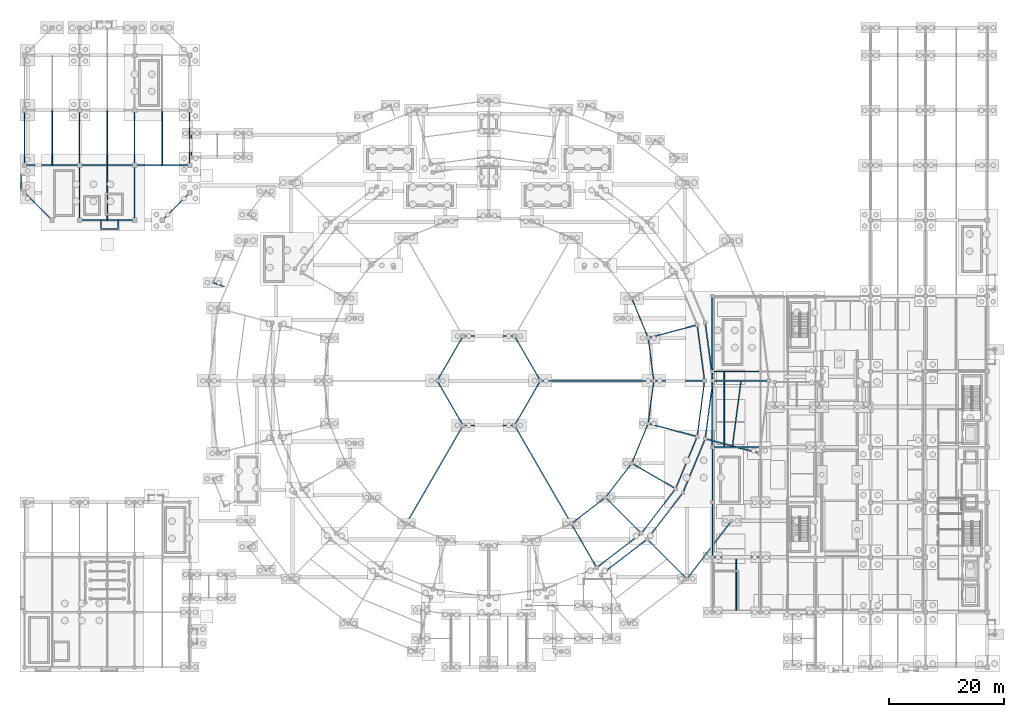
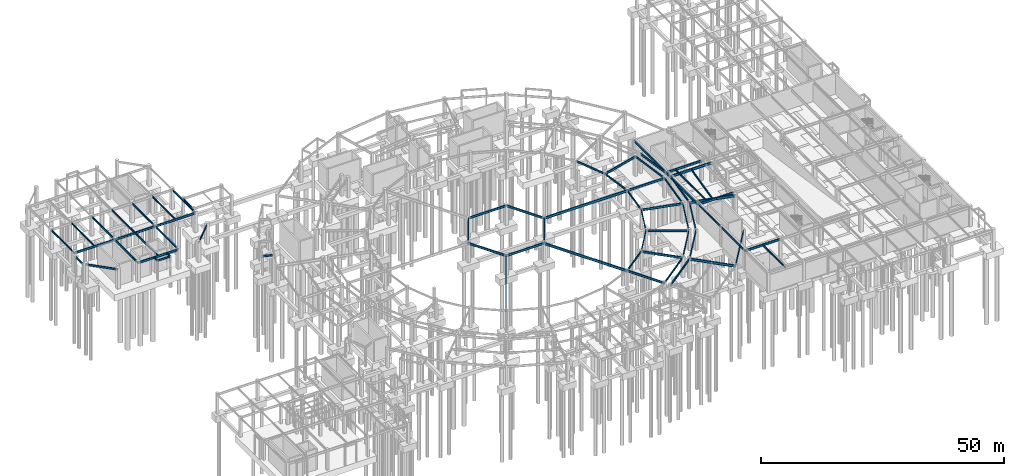
# One storey, part 39 of 55: 67 beams.
"""IFC4 building model written with IfcOpenShell, lengths in metres."""

from ifc_helpers import new_model, si_unit, direction, frame, origin, origin_2d, place, context, subcontext, project, spatial, i_section, extrude, material, material_profile, profile_set, type_object, element, save


model = new_model("IFC4")

# Units and contexts
model_context = context("Model", 3, precision=1e-05, world=origin(), true_north=direction((0.0, 1.0)))
body_context = subcontext(model_context, "Body", "Model", "MODEL_VIEW")
ifc_project = project(units=[si_unit("LENGTHUNIT", "METRE"), si_unit("AREAUNIT", "SQUARE_METRE"), si_unit("VOLUMEUNIT", "CUBIC_METRE"), si_unit("PLANEANGLEUNIT", "RADIAN"), si_unit("MASSUNIT", "GRAM", prefix="KILO")], contexts=[model_context])

# Site, building, storey
site_placement = place(None, origin())
site = spatial("IfcSite", under=ifc_project, at=site_placement, CompositionType="ELEMENT")
building_placement = place(site_placement, origin())
building = spatial("IfcBuilding", under=site, at=building_placement, Name="Almandine Court Research Institute", CompositionType="ELEMENT")
storey_placement = place(building_placement, frame((0.0, 0.0, -5.25)))
storey = spatial("IfcBuildingStorey", under=building, at=storey_placement, Name="B1", CompositionType="ELEMENT", Elevation=-5.25)

# Beams
ifc_material = material(Name="Steel ASTM A992 Grade 50", Category="steel")
ifc_material_profile_1 = material_profile(ifc_material, i_section(OverallWidth=0.18994140625, OverallDepth=0.45703125, WebThickness=0.009033203125, FlangeThickness=0.014892578125, at=origin_2d()), Name="W460x74")
ifc_profile_set_1 = profile_set([ifc_material_profile_1], Name="Steel ASTM A992 Grade 50")
beam_type_1 = type_object("IfcBeamType", Name="Beam-B-01", PredefinedType="BEAM", material=ifc_profile_set_1)
beam_1_placement = place(storey_placement, frame((126.0, 25.199951171875, 4.77099609375), z_axis=(0.0, 1.0, 0.0), x_axis=(-1.0, 0.0, 0.0)))
element("IfcBeam", 1, at=beam_1_placement, inside=storey, type_object=beam_type_1, Name="B1 B1G Primary Y Girder", PredefinedType="BEAM", context=body_context, shape_type="SweptSolid", body=[
    extrude(i_section(OverallWidth=0.18994140625, OverallDepth=0.45703125, WebThickness=0.009033203125, FlangeThickness=0.014892578125, at=origin_2d()), origin(), (0.0, 0.0, 1.0), 9.60009765625),
])
beam_2_placement = place(storey_placement, frame((126.0, 34.800048828125, 4.77099609375), z_axis=(0.0, 1.0, 0.0), x_axis=(-1.0, 0.0, 0.0)))
element("IfcBeam", 2, at=beam_2_placement, inside=storey, type_object=beam_type_1, Name="B1 B1G Primary Y Girder", PredefinedType="BEAM", context=body_context, shape_type="SweptSolid", body=[
    extrude(i_section(OverallWidth=0.18994140625, OverallDepth=0.45703125, WebThickness=0.009033203125, FlangeThickness=0.014892578125, at=origin_2d()), origin(), (0.0, 0.0, 1.0), 9.599853515625),
])
for number, where, z_axis, x_axis, name in (
    (3, (15.60009765625, 84.0, 4.701904296875), (0.0, 1.0, 0.0), (-1.0, 0.0, 0.0), "B1 V3 Primary Y Girder"),
    (4, (25.199951171875, 84.0, 4.701904296875), (0.0, 1.0, 0.0), (-1.0, 0.0, 0.0), "B1 V3 Primary Y Girder"),
):
    element("IfcBeam", number, at=place(storey_placement, frame(where, z_axis=z_axis, x_axis=x_axis)), inside=storey, type_object=beam_type_1, Name=name, PredefinedType="BEAM", context=body_context, shape_type="SweptSolid", body=[
        extrude(i_section(OverallWidth=0.18994140625, OverallDepth=0.45703125, WebThickness=0.009033203125, FlangeThickness=0.014892578125, at=origin_2d()), origin(), (0.0, 0.0, 1.0), 9.60009765625),
    ])
for number, where, z_axis, x_axis, name in (
    (5, (6.0, 93.60009765625, 4.701904296875), (0.0, 1.0, 0.0), (-1.0, 0.0, 0.0), "B1 V3 Primary Y Girder"),
    (6, (15.60009765625, 93.60009765625, 4.701904296875), (0.0, 1.0, 0.0), (-1.0, 0.0, 0.0), "B1 V3 Primary Y Girder"),
    (7, (25.199951171875, 93.60009765625, 4.701904296875), (0.0, 1.0, 0.0), (-1.0, 0.0, 0.0), "B1 V3 Primary Y Girder"),
    (8, (34.800048828125, 93.60009765625, 4.701904296875), (0.0, 1.0, 0.0), (-1.0, 0.0, 0.0), "B1 V3 Primary Y Girder"),
):
    element("IfcBeam", number, at=place(storey_placement, frame(where, z_axis=z_axis, x_axis=x_axis)), inside=storey, type_object=beam_type_1, Name=name, PredefinedType="BEAM", context=body_context, shape_type="SweptSolid", body=[
        extrude(i_section(OverallWidth=0.18994140625, OverallDepth=0.45703125, WebThickness=0.009033203125, FlangeThickness=0.014892578125, at=origin_2d()), origin(), (0.0, 0.0, 1.0), 9.599853515625),
    ])
beam_3_placement = place(storey_placement, frame((35.10009765625, 95.0, 4.699951171875), z_axis=(0.0, 1.0, 0.0), x_axis=(-1.0, 0.0, 0.0)))
element("IfcBeam", 9, at=beam_3_placement, inside=storey, type_object=beam_type_1, Name="B1 DAL-NW Primary Y Girder", PredefinedType="BEAM", context=body_context, shape_type="SweptSolid", body=[
    extrude(i_section(OverallWidth=0.18994140625, OverallDepth=0.45703125, WebThickness=0.009033203125, FlangeThickness=0.014892578125, at=origin_2d()), origin(), (0.0, 0.0, 1.0), 4.199951171875),
])
beam_4_placement = place(storey_placement, frame((129.531982421875, 44.72802734375, 4.77099609375), z_axis=(0.130512904889, 0.991446610594, 0.0), x_axis=(-0.991446610594, 0.130512904889, 0.0)))
element("IfcBeam", 10, at=beam_4_placement, inside=storey, type_object=beam_type_1, Name="B1 Drum MID Ring Beam 23", PredefinedType="BEAM", context=body_context, shape_type="SweptSolid", body=[
    extrude(i_section(OverallWidth=0.18994140625, OverallDepth=0.45703125, WebThickness=0.009033203125, FlangeThickness=0.014892578125, at=origin_2d()), origin(), (0.0, 0.0, 1.0), 11.248046875),
])
beam_5_placement = place(storey_placement, frame((124.64990234375, 56.0, 4.77099609375), z_axis=(-0.130525188913, 0.991444993461, 0.0), x_axis=(-0.991444993461, -0.130525188913, 0.0)))
element("IfcBeam", 11, at=beam_5_placement, inside=storey, type_object=beam_type_1, Name="B1 Atrium Outer Ring Beam", PredefinedType="BEAM", context=body_context, shape_type="SweptSolid", body=[
    extrude(i_section(OverallWidth=0.18994140625, OverallDepth=0.45703125, WebThickness=0.009033203125, FlangeThickness=0.014892578125, at=origin_2d()), origin(), (0.0, 0.0, 1.0), 9.8291015625),
])
beam_6_placement = place(storey_placement, frame((115.800048828125, 56.0, 4.77099609375), z_axis=(-0.130474672489, 0.991451642713, 0.0), x_axis=(-0.991451642713, -0.130474672489, 0.0)))
element("IfcBeam", 12, at=beam_6_placement, inside=storey, type_object=beam_type_1, Name="B1 Atrium Gallery Edge Beam", PredefinedType="BEAM", context=body_context, shape_type="SweptSolid", body=[
    extrude(i_section(OverallWidth=0.18994140625, OverallDepth=0.45703125, WebThickness=0.009033203125, FlangeThickness=0.014892578125, at=origin_2d()), origin(), (0.0, 0.0, 1.0), 7.518310546875),
])
beam_7_placement = place(storey_placement, frame((114.819091796875, 63.4541015625, 4.77099609375), z_axis=(-0.382700732442, 0.923872366395, 0.0), x_axis=(-0.923872366395, -0.382700732442, 0.0)))
element("IfcBeam", 13, at=beam_7_placement, inside=storey, type_object=beam_type_1, Name="B1 Atrium Gallery Edge Beam", PredefinedType="BEAM", context=body_context, shape_type="SweptSolid", body=[
    extrude(i_section(OverallWidth=0.18994140625, OverallDepth=0.45703125, WebThickness=0.009033203125, FlangeThickness=0.014892578125, at=origin_2d()), origin(), (0.0, 0.0, 1.0), 7.51806640625),
])
beam_8_placement = place(storey_placement, frame((105.824951171875, 23.39404296875, 4.77099609375), z_axis=(0.793391623282, 0.608711534396, 0.0), x_axis=(-0.608711534396, 0.793391623282, 0.0)))
element("IfcBeam", 14, at=beam_8_placement, inside=storey, type_object=beam_type_1, Name="B1 Atrium Outer Ring Beam", PredefinedType="BEAM", context=body_context, shape_type="SweptSolid", body=[
    extrude(i_section(OverallWidth=0.18994140625, OverallDepth=0.45703125, WebThickness=0.009033203125, FlangeThickness=0.014892578125, at=origin_2d()), origin(), (0.0, 0.0, 1.0), 9.828857421875),
])
beam_9_placement = place(storey_placement, frame((101.39990234375, 31.05810546875, 4.77099609375), z_axis=(0.793370595297, 0.608738941187, 0.0), x_axis=(-0.608738941187, 0.793370595297, 0.0)))
element("IfcBeam", 15, at=beam_9_placement, inside=storey, type_object=beam_type_1, Name="B1 Atrium Gallery Edge Beam", PredefinedType="BEAM", context=body_context, shape_type="SweptSolid", body=[
    extrude(i_section(OverallWidth=0.18994140625, OverallDepth=0.45703125, WebThickness=0.009033203125, FlangeThickness=0.014892578125, at=origin_2d()), origin(), (0.0, 0.0, 1.0), 7.5185546875),
])
beam_10_placement = place(storey_placement, frame((113.623046875, 29.376953125, 4.77099609375), z_axis=(0.608711534396, 0.793391623282, 0.0), x_axis=(-0.793391623282, 0.608711534396, 0.0)))
element("IfcBeam", 16, at=beam_10_placement, inside=storey, type_object=beam_type_1, Name="B1 Atrium Outer Ring Beam", PredefinedType="BEAM", context=body_context, shape_type="SweptSolid", body=[
    extrude(i_section(OverallWidth=0.18994140625, OverallDepth=0.45703125, WebThickness=0.009033203125, FlangeThickness=0.014892578125, at=origin_2d()), origin(), (0.0, 0.0, 1.0), 9.828857421875),
])
beam_11_placement = place(storey_placement, frame((107.364990234375, 35.635009765625, 4.77099609375), z_axis=(0.608738941187, 0.793370595297, 0.0), x_axis=(-0.793370595297, 0.608738941187, 0.0)))
element("IfcBeam", 17, at=beam_11_placement, inside=storey, type_object=beam_type_1, Name="B1 Atrium Gallery Edge Beam", PredefinedType="BEAM", context=body_context, shape_type="SweptSolid", body=[
    extrude(i_section(OverallWidth=0.18994140625, OverallDepth=0.45703125, WebThickness=0.009033203125, FlangeThickness=0.014892578125, at=origin_2d()), origin(), (0.0, 0.0, 1.0), 7.5185546875),
])
beam_12_placement = place(storey_placement, frame((119.60595703125, 37.175048828125, 4.77099609375), z_axis=(0.382683080424, 0.92387967829, 0.0), x_axis=(-0.92387967829, 0.382683080424, 0.0)))
element("IfcBeam", 18, at=beam_12_placement, inside=storey, type_object=beam_type_1, Name="B1 Atrium Outer Ring Beam", PredefinedType="BEAM", context=body_context, shape_type="SweptSolid", body=[
    extrude(i_section(OverallWidth=0.18994140625, OverallDepth=0.45703125, WebThickness=0.009033203125, FlangeThickness=0.014892578125, at=origin_2d()), origin(), (0.0, 0.0, 1.0), 9.827880859375),
])
beam_13_placement = place(storey_placement, frame((111.94189453125, 41.60009765625, 4.77099609375), z_axis=(0.382700732442, 0.923872366395, 0.0), x_axis=(-0.923872366395, 0.382700732442, 0.0)))
element("IfcBeam", 19, at=beam_13_placement, inside=storey, type_object=beam_type_1, Name="B1 Atrium Gallery Edge Beam", PredefinedType="BEAM", context=body_context, shape_type="SweptSolid", body=[
    extrude(i_section(OverallWidth=0.18994140625, OverallDepth=0.45703125, WebThickness=0.009033203125, FlangeThickness=0.014892578125, at=origin_2d()), origin(), (0.0, 0.0, 1.0), 7.51806640625),
])
beam_14_placement = place(storey_placement, frame((123.366943359375, 46.2548828125, 4.77099609375), z_axis=(0.130525188913, 0.991444993461, 0.0), x_axis=(-0.991444993461, 0.130525188913, 0.0)))
element("IfcBeam", 20, at=beam_14_placement, inside=storey, type_object=beam_type_1, Name="B1 Atrium Outer Ring Beam", PredefinedType="BEAM", context=body_context, shape_type="SweptSolid", body=[
    extrude(i_section(OverallWidth=0.18994140625, OverallDepth=0.45703125, WebThickness=0.009033203125, FlangeThickness=0.014892578125, at=origin_2d()), origin(), (0.0, 0.0, 1.0), 9.8291015625),
])
beam_15_placement = place(storey_placement, frame((114.819091796875, 48.5458984375, 4.77099609375), z_axis=(0.130474672489, 0.991451642713, 0.0), x_axis=(-0.991451642713, 0.130474672489, 0.0)))
element("IfcBeam", 21, at=beam_15_placement, inside=storey, type_object=beam_type_1, Name="B1 Atrium Gallery Edge Beam", PredefinedType="BEAM", context=body_context, shape_type="SweptSolid", body=[
    extrude(i_section(OverallWidth=0.18994140625, OverallDepth=0.45703125, WebThickness=0.009033203125, FlangeThickness=0.014892578125, at=origin_2d()), origin(), (0.0, 0.0, 1.0), 7.518310546875),
])
beam_16_placement = place(storey_placement, frame((5.419921875, 89.25, 4.822021484375), z_axis=(0.0, 1.0, 0.0), x_axis=(-1.0, 0.0, 0.0)))
element("IfcBeam", 22, at=beam_16_placement, inside=storey, type_object=beam_type_1, Name="B1 Threshold Edge Girder PAD-V3-W1-1", PredefinedType="BEAM", context=body_context, shape_type="SweptSolid", body=[
    extrude(i_section(OverallWidth=0.18994140625, OverallDepth=0.45703125, WebThickness=0.009033203125, FlangeThickness=0.014892578125, at=origin_2d()), origin(), (0.0, 0.0, 1.0), 2.699951171875),
])
for number, where, z_axis, x_axis, name in (
    (23, (19.35009765625, 82.5, 4.822021484375), (0.0, 1.0, 0.0), (-1.0, 0.0, 0.0), "B1 Threshold Support Beam PAD-V3-S2-1"),
    (24, (22.35009765625, 82.5, 4.822021484375), (0.0, 1.0, 0.0), (-1.0, 0.0, 0.0), "B1 Threshold Support Beam PAD-V3-S2-2"),
):
    element("IfcBeam", number, at=place(storey_placement, frame(where, z_axis=z_axis, x_axis=x_axis)), inside=storey, type_object=beam_type_1, Name=name, PredefinedType="BEAM", context=body_context, shape_type="SweptSolid", body=[
        extrude(i_section(OverallWidth=0.18994140625, OverallDepth=0.45703125, WebThickness=0.009033203125, FlangeThickness=0.014892578125, at=origin_2d()), origin(), (0.0, 0.0, 1.0), 1.5),
    ])
beam_17_placement = place(storey_placement, frame((19.35009765625, 82.5, 4.822021484375), z_axis=(1.0, 0.0, 0.0), x_axis=(0.0, 1.0, 0.0)))
element("IfcBeam", 25, at=beam_17_placement, inside=storey, type_object=beam_type_1, Name="B1 Threshold Edge Girder PAD-V3-S2-1", PredefinedType="BEAM", context=body_context, shape_type="SweptSolid", body=[
    extrude(i_section(OverallWidth=0.18994140625, OverallDepth=0.45703125, WebThickness=0.009033203125, FlangeThickness=0.014892578125, at=origin_2d()), origin(), (0.0, 0.0, 1.0), 3.0),
])
beam_18_placement = place(storey_placement, frame((38.907958984375, 73.125, 4.76904296875), z_axis=(0.942085363874, -0.33537317599, 0.0), x_axis=(0.33537317599, 0.942085363874, 0.0)))
element("IfcBeam", 26, at=beam_18_placement, inside=storey, type_object=beam_type_1, Name="B1 Drum Threshold Radial Beam PAD-DRUM-S10-2", PredefinedType="BEAM", context=body_context, shape_type="SweptSolid", body=[
    extrude(i_section(OverallWidth=0.18994140625, OverallDepth=0.45703125, WebThickness=0.009033203125, FlangeThickness=0.014892578125, at=origin_2d()), origin(), (0.0, 0.0, 1.0), 2.119873046875),
])
ifc_material_profile_2 = material_profile(ifc_material, i_section(OverallWidth=0.178955078125, OverallDepth=0.409912109375, WebThickness=0.009033203125, FlangeThickness=0.013916015625, at=origin_2d()), Name="W410x67")
ifc_profile_set_2 = profile_set([ifc_material_profile_2], Name="Steel ASTM A992 Grade 50")
beam_type_2 = type_object("IfcBeamType", Name="Beam-B-02", PredefinedType="JOIST", material=ifc_profile_set_2)
beam_19_placement = place(storey_placement, frame((130.199951171875, 15.7041015625, 4.742919921875), z_axis=(0.0, 1.0, 0.0), x_axis=(-1.0, 0.0, 0.0)))
element("IfcBeam", 27, at=beam_19_placement, inside=storey, type_object=beam_type_2, Name="B1 B1G Composite Secondary Beam", PredefinedType="JOIST", context=body_context, shape_type="SweptSolid", body=[
    extrude(i_section(OverallWidth=0.178955078125, OverallDepth=0.409912109375, WebThickness=0.009033203125, FlangeThickness=0.013916015625, at=origin_2d()), origin(), (0.0, 0.0, 1.0), 9.391845703125),
])
beam_20_placement = place(storey_placement, frame((128.10009765625, 44.5029296875, 4.794921875), z_axis=(0.0, 1.0, 0.0), x_axis=(-1.0, 0.0, 0.0)))
element("IfcBeam", 28, at=beam_20_placement, inside=storey, type_object=beam_type_2, Name="B1 B1G Composite Secondary Beam", PredefinedType="JOIST", context=body_context, shape_type="SweptSolid", body=[
    extrude(i_section(OverallWidth=0.178955078125, OverallDepth=0.409912109375, WebThickness=0.009033203125, FlangeThickness=0.013916015625, at=origin_2d()), origin(), (0.0, 0.0, 1.0), 12.994140625),
])
beam_21_placement = place(storey_placement, frame((20.39990234375, 84.10302734375, 4.72509765625), z_axis=(0.0, 1.0, 0.0), x_axis=(-1.0, 0.0, 0.0)))
element("IfcBeam", 29, at=beam_21_placement, inside=storey, type_object=beam_type_2, Name="B1 V3 Composite Secondary Beam", PredefinedType="JOIST", context=body_context, shape_type="SweptSolid", body=[
    extrude(i_section(OverallWidth=0.178955078125, OverallDepth=0.409912109375, WebThickness=0.009033203125, FlangeThickness=0.013916015625, at=origin_2d()), origin(), (0.0, 0.0, 1.0), 9.39306640625),
])
for number, where, z_axis, x_axis, name in (
    (30, (10.800048828125, 93.702880859375, 4.72509765625), (0.0, 1.0, 0.0), (-1.0, 0.0, 0.0), "B1 V3 Composite Secondary Beam"),
    (31, (20.39990234375, 93.702880859375, 4.72509765625), (0.0, 1.0, 0.0), (-1.0, 0.0, 0.0), "B1 V3 Composite Secondary Beam"),
    (32, (30.0, 93.702880859375, 4.72509765625), (0.0, 1.0, 0.0), (-1.0, 0.0, 0.0), "B1 V3 Composite Secondary Beam"),
):
    element("IfcBeam", number, at=place(storey_placement, frame(where, z_axis=z_axis, x_axis=x_axis)), inside=storey, type_object=beam_type_2, Name=name, PredefinedType="JOIST", context=body_context, shape_type="SweptSolid", body=[
        extrude(i_section(OverallWidth=0.178955078125, OverallDepth=0.409912109375, WebThickness=0.009033203125, FlangeThickness=0.013916015625, at=origin_2d()), origin(), (0.0, 0.0, 1.0), 9.39404296875),
    ])
ifc_material_profile_3 = material_profile(ifc_material, i_section(OverallWidth=0.22998046875, OverallDepth=0.616943359375, WebThickness=0.012939453125, FlangeThickness=0.02197265625, at=origin_2d()), Name="W610x140")
ifc_profile_set_3 = profile_set([ifc_material_profile_3], Name="Steel ASTM A992 Grade 50")
beam_type_3 = type_object("IfcBeamType", Name="Beam-G-02", PredefinedType="BEAM", material=ifc_profile_set_3)
beam_22_placement = place(storey_placement, frame((126.10009765625, 56.0, 4.69189453125), z_axis=(1.0, 0.0, 0.0), x_axis=(0.0, 1.0, 0.0)))
element("IfcBeam", 33, at=beam_22_placement, inside=storey, type_object=beam_type_3, Name="B1 Drum Radial Girder 00", PredefinedType="BEAM", context=body_context, shape_type="SweptSolid", body=[
    extrude(i_section(OverallWidth=0.22998046875, OverallDepth=0.616943359375, WebThickness=0.012939453125, FlangeThickness=0.02197265625, at=origin_2d()), origin(), (0.0, 0.0, 1.0), 9.7998046875),
])
beam_23_placement = place(storey_placement, frame((114.64794921875, 28.35205078125, 4.69189453125), z_axis=(0.707106781187, -0.707106781187, 0.0), x_axis=(0.707106781187, 0.707106781187, 0.0)))
element("IfcBeam", 34, at=beam_23_placement, inside=storey, type_object=beam_type_3, Name="B1 Drum Radial Girder 21", PredefinedType="BEAM", context=body_context, shape_type="SweptSolid", body=[
    extrude(i_section(OverallWidth=0.22998046875, OverallDepth=0.616943359375, WebThickness=0.012939453125, FlangeThickness=0.02197265625, at=origin_2d()), origin(), (0.0, 0.0, 1.0), 9.80029296875),
])
beam_24_placement = place(storey_placement, frame((124.76806640625, 45.8798828125, 4.69189453125), z_axis=(0.965937821551, -0.258774274024, 0.0), x_axis=(0.258774274024, 0.965937821551, 0.0)))
element("IfcBeam", 35, at=beam_24_placement, inside=storey, type_object=beam_type_3, Name="B1 Drum Radial Girder 23", PredefinedType="BEAM", context=body_context, shape_type="SweptSolid", body=[
    extrude(i_section(OverallWidth=0.22998046875, OverallDepth=0.616943359375, WebThickness=0.012939453125, FlangeThickness=0.02197265625, at=origin_2d()), origin(), (0.0, 0.0, 1.0), 9.799560546875),
])
ifc_material_profile_4 = material_profile(ifc_material, i_section(OverallWidth=0.22802734375, OverallDepth=0.60791015625, WebThickness=0.010986328125, FlangeThickness=0.01708984375, at=origin_2d()), Name="W610x113")
ifc_profile_set_4 = profile_set([ifc_material_profile_4], Name="Steel ASTM A992 Grade 50")
beam_type_4 = type_object("IfcBeamType", Name="Beam-G-03", PredefinedType="BEAM", material=ifc_profile_set_4)
beam_25_placement = place(storey_placement, frame((126.0, 44.39990234375, 4.696044921875), z_axis=(0.0, 1.0, 0.0), x_axis=(-1.0, 0.0, 0.0)))
element("IfcBeam", 36, at=beam_25_placement, inside=storey, type_object=beam_type_4, Name="B1 B1G Primary Y Girder", PredefinedType="BEAM", context=body_context, shape_type="SweptSolid", body=[
    extrude(i_section(OverallWidth=0.22802734375, OverallDepth=0.60791015625, WebThickness=0.010986328125, FlangeThickness=0.01708984375, at=origin_2d()), origin(), (0.0, 0.0, 1.0), 13.2001953125),
])
beam_26_placement = place(storey_placement, frame((126.0, 57.60009765625, 4.696044921875), z_axis=(0.0, 1.0, 0.0), x_axis=(-1.0, 0.0, 0.0)))
element("IfcBeam", 37, at=beam_26_placement, inside=storey, type_object=beam_type_4, Name="B1 B1G Primary Y Girder", PredefinedType="BEAM", context=body_context, shape_type="SweptSolid", body=[
    extrude(i_section(OverallWidth=0.22802734375, OverallDepth=0.60791015625, WebThickness=0.010986328125, FlangeThickness=0.01708984375, at=origin_2d()), origin(), (0.0, 0.0, 1.0), 13.199951171875),
])
beam_27_placement = place(storey_placement, frame((96.0, 56.0, 4.696044921875), z_axis=(1.0, 0.0, 0.0), x_axis=(0.0, 1.0, 0.0)))
element("IfcBeam", 38, at=beam_27_placement, inside=storey, type_object=beam_type_4, Name="B1 Atrium Radial Tie Girder", PredefinedType="BEAM", context=body_context, shape_type="SweptSolid", body=[
    extrude(i_section(OverallWidth=0.22802734375, OverallDepth=0.60791015625, WebThickness=0.010986328125, FlangeThickness=0.01708984375, at=origin_2d()), origin(), (0.0, 0.0, 1.0), 19.800048828125),
])
for number, where, z_axis, x_axis, name in (
    (39, (82.5, 48.2060546875, 4.696044921875), (-0.499982168773, -0.866035698404, 0.0), (0.866035698404, -0.499982168773, 0.0), "B1 Atrium Radial Tie Girder"),
    (40, (91.5, 48.2060546875, 4.696044921875), (0.499982168773, -0.866035698404, 0.0), (0.866035698404, 0.499982168773, 0.0), "B1 Atrium Radial Tie Girder"),
):
    element("IfcBeam", number, at=place(storey_placement, frame(where, z_axis=z_axis, x_axis=x_axis)), inside=storey, type_object=beam_type_4, Name=name, PredefinedType="BEAM", context=body_context, shape_type="SweptSolid", body=[
        extrude(i_section(OverallWidth=0.22802734375, OverallDepth=0.60791015625, WebThickness=0.010986328125, FlangeThickness=0.01708984375, at=origin_2d()), origin(), (0.0, 0.0, 1.0), 19.800537109375),
    ])
ifc_material_profile_5 = material_profile(ifc_material, i_section(OverallWidth=0.2109375, OverallDepth=0.5390625, WebThickness=0.011962890625, FlangeThickness=0.01904296875, at=origin_2d()), Name="W530x109")
ifc_profile_set_5 = profile_set([ifc_material_profile_5], Name="Steel ASTM A992 Grade 50")
beam_type_5 = type_object("IfcBeamType", Name="Beam-G-04", PredefinedType="BEAM", material=ifc_profile_set_5)
for number, where, z_axis, x_axis, name in (
    (41, (126.0, 25.199951171875, 4.677978515625), (1.0, 0.0, 0.0), (0.0, 1.0, 0.0), "B1 B1G Primary X Girder"),
    (42, (126.0, 44.39990234375, 4.72998046875), (1.0, 0.0, 0.0), (0.0, 1.0, 0.0), "B1 B1G Primary X Girder"),
    (43, (126.0, 57.60009765625, 4.72998046875), (1.0, 0.0, 0.0), (0.0, 1.0, 0.0), "B1 B1G Primary X Girder"),
):
    element("IfcBeam", number, at=place(storey_placement, frame(where, z_axis=z_axis, x_axis=x_axis)), inside=storey, type_object=beam_type_5, Name=name, PredefinedType="BEAM", context=body_context, shape_type="SweptSolid", body=[
        extrude(i_section(OverallWidth=0.2109375, OverallDepth=0.5390625, WebThickness=0.011962890625, FlangeThickness=0.01904296875, at=origin_2d()), origin(), (0.0, 0.0, 1.0), 8.39990234375),
    ])
beam_28_placement = place(storey_placement, frame((15.60009765625, 84.0, 4.659912109375), z_axis=(1.0, 0.0, 0.0), x_axis=(0.0, 1.0, 0.0)))
element("IfcBeam", 44, at=beam_28_placement, inside=storey, type_object=beam_type_5, Name="B1 V3 Primary X Girder", PredefinedType="BEAM", context=body_context, shape_type="SweptSolid", body=[
    extrude(i_section(OverallWidth=0.2109375, OverallDepth=0.5390625, WebThickness=0.011962890625, FlangeThickness=0.01904296875, at=origin_2d()), origin(), (0.0, 0.0, 1.0), 9.599853515625),
])
beam_29_placement = place(storey_placement, frame((6.0, 93.60009765625, 4.659912109375), z_axis=(1.0, 0.0, 0.0), x_axis=(0.0, 1.0, 0.0)))
element("IfcBeam", 45, at=beam_29_placement, inside=storey, type_object=beam_type_5, Name="B1 V3 Primary X Girder", PredefinedType="BEAM", context=body_context, shape_type="SweptSolid", body=[
    extrude(i_section(OverallWidth=0.2109375, OverallDepth=0.5390625, WebThickness=0.011962890625, FlangeThickness=0.01904296875, at=origin_2d()), origin(), (0.0, 0.0, 1.0), 9.60009765625),
])
beam_30_placement = place(storey_placement, frame((15.60009765625, 93.60009765625, 4.659912109375), z_axis=(1.0, 0.0, 0.0), x_axis=(0.0, 1.0, 0.0)))
element("IfcBeam", 46, at=beam_30_placement, inside=storey, type_object=beam_type_5, Name="B1 V3 Primary X Girder", PredefinedType="BEAM", context=body_context, shape_type="SweptSolid", body=[
    extrude(i_section(OverallWidth=0.2109375, OverallDepth=0.5390625, WebThickness=0.011962890625, FlangeThickness=0.01904296875, at=origin_2d()), origin(), (0.0, 0.0, 1.0), 9.599853515625),
])
beam_31_placement = place(storey_placement, frame((25.199951171875, 93.60009765625, 4.659912109375), z_axis=(1.0, 0.0, 0.0), x_axis=(0.0, 1.0, 0.0)))
element("IfcBeam", 47, at=beam_31_placement, inside=storey, type_object=beam_type_5, Name="B1 V3 Primary X Girder", PredefinedType="BEAM", context=body_context, shape_type="SweptSolid", body=[
    extrude(i_section(OverallWidth=0.2109375, OverallDepth=0.5390625, WebThickness=0.011962890625, FlangeThickness=0.01904296875, at=origin_2d()), origin(), (0.0, 0.0, 1.0), 9.60009765625),
])
for number, where, z_axis, x_axis, name in (
    (48, (126.10009765625, 56.0, 4.72998046875), (-0.130496584681, 0.991448758831, 0.0), (-0.991448758831, -0.130496584681, 0.0), "B1 Drum IN Ring Beam 00"),
    (49, (106.550048828125, 22.137939453125, 4.72998046875), (0.793335653042, 0.608784478787, 0.0), (-0.608784478787, 0.793335653042, 0.0), "B1 Drum IN Ring Beam 20"),
    (50, (114.64794921875, 28.35205078125, 4.72998046875), (0.608784478787, 0.793335653042, 0.0), (-0.793335653042, 0.608784478787, 0.0), "B1 Drum IN Ring Beam 21"),
):
    element("IfcBeam", number, at=place(storey_placement, frame(where, z_axis=z_axis, x_axis=x_axis)), inside=storey, type_object=beam_type_5, Name=name, PredefinedType="BEAM", context=body_context, shape_type="SweptSolid", body=[
        extrude(i_section(OverallWidth=0.2109375, OverallDepth=0.5390625, WebThickness=0.011962890625, FlangeThickness=0.01904296875, at=origin_2d()), origin(), (0.0, 0.0, 1.0), 10.20751953125),
    ])
beam_32_placement = place(storey_placement, frame((121.577880859375, 21.422119140625, 4.72998046875), z_axis=(0.608751886289, 0.793360662587, 0.0), x_axis=(-0.793360662587, 0.608751886289, 0.0)))
element("IfcBeam", 51, at=beam_32_placement, inside=storey, type_object=beam_type_5, Name="B1 Drum OUT Ring Beam 21", PredefinedType="BEAM", context=body_context, shape_type="SweptSolid", body=[
    extrude(i_section(OverallWidth=0.2109375, OverallDepth=0.5390625, WebThickness=0.011962890625, FlangeThickness=0.01904296875, at=origin_2d()), origin(), (0.0, 0.0, 1.0), 12.765869140625),
])
beam_33_placement = place(storey_placement, frame((120.862060546875, 36.449951171875, 4.72998046875), z_axis=(0.382683455912, 0.923879522758, 0.0), x_axis=(-0.923879522758, 0.382683455912, 0.0)))
element("IfcBeam", 52, at=beam_33_placement, inside=storey, type_object=beam_type_5, Name="B1 Drum IN Ring Beam 22", PredefinedType="BEAM", context=body_context, shape_type="SweptSolid", body=[
    extrude(i_section(OverallWidth=0.2109375, OverallDepth=0.5390625, WebThickness=0.011962890625, FlangeThickness=0.01904296875, at=origin_2d()), origin(), (0.0, 0.0, 1.0), 10.206787109375),
])
beam_34_placement = place(storey_placement, frame((124.76806640625, 45.8798828125, 4.72998046875), z_axis=(0.130496584681, 0.991448758831, 0.0), x_axis=(-0.991448758831, 0.130496584681, 0.0)))
element("IfcBeam", 53, at=beam_34_placement, inside=storey, type_object=beam_type_5, Name="B1 Drum IN Ring Beam 23", PredefinedType="BEAM", context=body_context, shape_type="SweptSolid", body=[
    extrude(i_section(OverallWidth=0.2109375, OverallDepth=0.5390625, WebThickness=0.011962890625, FlangeThickness=0.01904296875, at=origin_2d()), origin(), (0.0, 0.0, 1.0), 10.20751953125),
])
beam_35_placement = place(storey_placement, frame((96.0, 56.0, 4.72998046875), z_axis=(-0.500013631625, 0.866017533419, 0.0), x_axis=(-0.866017533419, -0.500013631625, 0.0)))
element("IfcBeam", 54, at=beam_35_placement, inside=storey, type_object=beam_type_5, Name="B1 Oculus Ring Girder", PredefinedType="BEAM", context=body_context, shape_type="SweptSolid", body=[
    extrude(i_section(OverallWidth=0.2109375, OverallDepth=0.5390625, WebThickness=0.011962890625, FlangeThickness=0.01904296875, at=origin_2d()), origin(), (0.0, 0.0, 1.0), 8.999755859375),
])
beam_36_placement = place(storey_placement, frame((91.5, 63.7939453125, 4.72998046875), z_axis=(-1.0, 0.0, 0.0), x_axis=(0.0, -1.0, 0.0)))
element("IfcBeam", 55, at=beam_36_placement, inside=storey, type_object=beam_type_5, Name="B1 Oculus Ring Girder", PredefinedType="BEAM", context=body_context, shape_type="SweptSolid", body=[
    extrude(i_section(OverallWidth=0.2109375, OverallDepth=0.5390625, WebThickness=0.011962890625, FlangeThickness=0.01904296875, at=origin_2d()), origin(), (0.0, 0.0, 1.0), 9.0),
])
for number, where, z_axis, x_axis, name in (
    (56, (82.5, 63.7939453125, 4.72998046875), (-0.500013631625, -0.866017533419, 0.0), (0.866017533419, -0.500013631625, 0.0), "B1 Oculus Ring Girder"),
    (57, (78.0, 56.0, 4.72998046875), (0.500013631625, -0.866017533419, 0.0), (0.866017533419, 0.500013631625, 0.0), "B1 Oculus Ring Girder"),
):
    element("IfcBeam", number, at=place(storey_placement, frame(where, z_axis=z_axis, x_axis=x_axis)), inside=storey, type_object=beam_type_5, Name=name, PredefinedType="BEAM", context=body_context, shape_type="SweptSolid", body=[
        extrude(i_section(OverallWidth=0.2109375, OverallDepth=0.5390625, WebThickness=0.011962890625, FlangeThickness=0.01904296875, at=origin_2d()), origin(), (0.0, 0.0, 1.0), 8.999755859375),
    ])
beam_37_placement = place(storey_placement, frame((82.5, 48.2060546875, 4.72998046875), z_axis=(1.0, 0.0, 0.0), x_axis=(0.0, 1.0, 0.0)))
element("IfcBeam", 58, at=beam_37_placement, inside=storey, type_object=beam_type_5, Name="B1 Oculus Ring Girder", PredefinedType="BEAM", context=body_context, shape_type="SweptSolid", body=[
    extrude(i_section(OverallWidth=0.2109375, OverallDepth=0.5390625, WebThickness=0.011962890625, FlangeThickness=0.01904296875, at=origin_2d()), origin(), (0.0, 0.0, 1.0), 9.0),
])
beam_38_placement = place(storey_placement, frame((91.5, 48.2060546875, 4.72998046875), z_axis=(0.500013631625, 0.866017533419, 0.0), x_axis=(-0.866017533419, 0.500013631625, 0.0)))
element("IfcBeam", 59, at=beam_38_placement, inside=storey, type_object=beam_type_5, Name="B1 Oculus Ring Girder", PredefinedType="BEAM", context=body_context, shape_type="SweptSolid", body=[
    extrude(i_section(OverallWidth=0.2109375, OverallDepth=0.5390625, WebThickness=0.011962890625, FlangeThickness=0.01904296875, at=origin_2d()), origin(), (0.0, 0.0, 1.0), 8.999755859375),
])
beam_39_placement = place(storey_placement, frame((115.800048828125, 56.0, 4.72998046875), z_axis=(1.0, 0.0, 0.0), x_axis=(0.0, 1.0, 0.0)))
element("IfcBeam", 60, at=beam_39_placement, inside=storey, type_object=beam_type_5, Name="B1 Atrium Gallery Radial Girder", PredefinedType="BEAM", context=body_context, shape_type="SweptSolid", body=[
    extrude(i_section(OverallWidth=0.2109375, OverallDepth=0.5390625, WebThickness=0.011962890625, FlangeThickness=0.01904296875, at=origin_2d()), origin(), (0.0, 0.0, 1.0), 8.849853515625),
])
beam_40_placement = place(storey_placement, frame((114.819091796875, 63.4541015625, 4.72998046875), z_axis=(0.965908147944, 0.258885012576, 0.0), x_axis=(-0.258885012576, 0.965908147944, 0.0)))
element("IfcBeam", 61, at=beam_40_placement, inside=storey, type_object=beam_type_5, Name="B1 Atrium Gallery Radial Girder", PredefinedType="BEAM", context=body_context, shape_type="SweptSolid", body=[
    extrude(i_section(OverallWidth=0.2109375, OverallDepth=0.5390625, WebThickness=0.011962890625, FlangeThickness=0.01904296875, at=origin_2d()), origin(), (0.0, 0.0, 1.0), 8.849609375),
])
beam_41_placement = place(storey_placement, frame((101.39990234375, 31.05810546875, 4.72998046875), z_axis=(0.50001697323, -0.866015604063, 0.0), x_axis=(0.866015604063, 0.50001697323, 0.0)))
element("IfcBeam", 62, at=beam_41_placement, inside=storey, type_object=beam_type_5, Name="B1 Atrium Gallery Radial Girder", PredefinedType="BEAM", context=body_context, shape_type="SweptSolid", body=[
    extrude(i_section(OverallWidth=0.2109375, OverallDepth=0.5390625, WebThickness=0.011962890625, FlangeThickness=0.01904296875, at=origin_2d()), origin(), (0.0, 0.0, 1.0), 8.849853515625),
])
beam_42_placement = place(storey_placement, frame((107.364990234375, 35.635009765625, 4.72998046875), z_axis=(0.707106781187, -0.707106781187, 0.0), x_axis=(0.707106781187, 0.707106781187, 0.0)))
element("IfcBeam", 63, at=beam_42_placement, inside=storey, type_object=beam_type_5, Name="B1 Atrium Gallery Radial Girder", PredefinedType="BEAM", context=body_context, shape_type="SweptSolid", body=[
    extrude(i_section(OverallWidth=0.2109375, OverallDepth=0.5390625, WebThickness=0.011962890625, FlangeThickness=0.01904296875, at=origin_2d()), origin(), (0.0, 0.0, 1.0), 8.850341796875),
])
beam_43_placement = place(storey_placement, frame((111.94189453125, 41.60009765625, 4.72998046875), z_axis=(0.866015604063, -0.50001697323, 0.0), x_axis=(0.50001697323, 0.866015604063, 0.0)))
element("IfcBeam", 64, at=beam_43_placement, inside=storey, type_object=beam_type_5, Name="B1 Atrium Gallery Radial Girder", PredefinedType="BEAM", context=body_context, shape_type="SweptSolid", body=[
    extrude(i_section(OverallWidth=0.2109375, OverallDepth=0.5390625, WebThickness=0.011962890625, FlangeThickness=0.01904296875, at=origin_2d()), origin(), (0.0, 0.0, 1.0), 8.849853515625),
])
beam_44_placement = place(storey_placement, frame((114.819091796875, 48.5458984375, 4.72998046875), z_axis=(0.965908147944, -0.258885012576, 0.0), x_axis=(0.258885012576, 0.965908147944, 0.0)))
element("IfcBeam", 65, at=beam_44_placement, inside=storey, type_object=beam_type_5, Name="B1 Atrium Gallery Radial Girder", PredefinedType="BEAM", context=body_context, shape_type="SweptSolid", body=[
    extrude(i_section(OverallWidth=0.2109375, OverallDepth=0.5390625, WebThickness=0.011962890625, FlangeThickness=0.01904296875, at=origin_2d()), origin(), (0.0, 0.0, 1.0), 8.849609375),
])
ifc_material_profile_6 = material_profile(ifc_material, i_section(OverallWidth=0.193115234375, OverallDepth=0.466064453125, WebThickness=0.010986328125, FlangeThickness=0.01904296875, at=origin_2d()), Name="W460x97")
ifc_profile_set_6 = profile_set([ifc_material_profile_6], Name="Steel ASTM A992 Grade 50")
beam_type_6 = type_object("IfcBeamType", Name="Beam-G-06", PredefinedType="SPANDREL", material=ifc_profile_set_6)
for number, where, z_axis, x_axis, name in (
    (66, (30.0, 84.0, 4.697021484375), (0.707106781187, 0.707106781187, 0.0), (-0.707106781187, 0.707106781187, 0.0), "B1 V3 Octagonal Chamfer Spandrel"),
    (67, (6.0, 88.800048828125, 4.697021484375), (0.707106781187, -0.707106781187, 0.0), (0.707106781187, 0.707106781187, 0.0), "B1 V3 Octagonal Chamfer Spandrel"),
):
    element("IfcBeam", number, at=place(storey_placement, frame(where, z_axis=z_axis, x_axis=x_axis)), inside=storey, type_object=beam_type_6, Name=name, PredefinedType="SPANDREL", context=body_context, shape_type="SweptSolid", body=[
        extrude(i_section(OverallWidth=0.193115234375, OverallDepth=0.466064453125, WebThickness=0.010986328125, FlangeThickness=0.01904296875, at=origin_2d()), origin(), (0.0, 0.0, 1.0), 6.788330078125),
    ])

save(model, "model.ifc")
